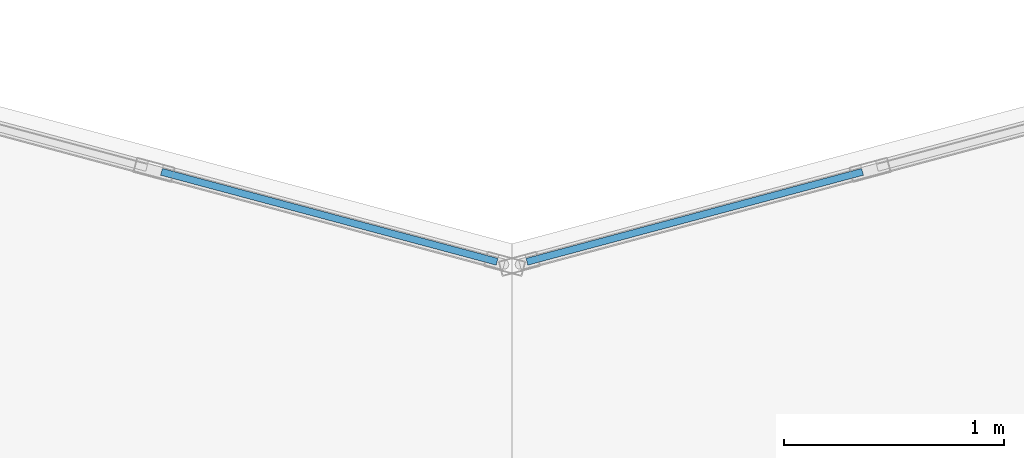
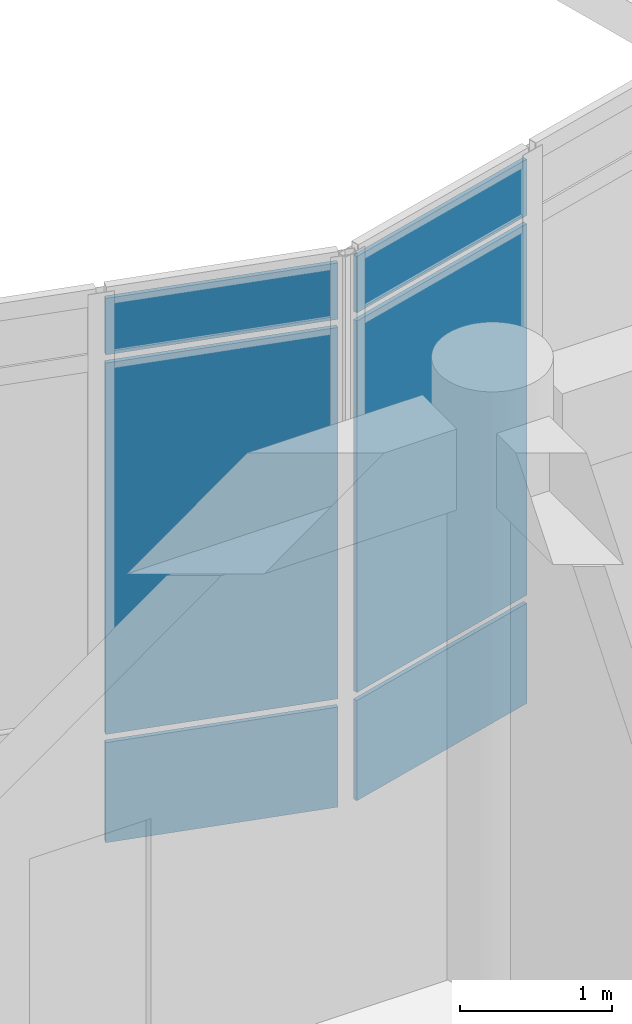
# One storey, part 68 of 138: 6 plates, 2 elements without a shape of their own.
"""IFC4 building model written with IfcOpenShell, lengths in metres."""

from ifc_helpers import new_model, si_unit, direction, frame, origin, origin_2d, place, context, subcontext, project, spatial, rectangle, extrude, material, layer, layer_set, type_object, element, aggregate, save


model = new_model("IFC4")

# Units and contexts
model_context = context("Model", 3, precision=1e-05, world=origin(), true_north=direction((0.0, 1.0)))
body_context = subcontext(model_context, "Body", "Model", "MODEL_VIEW")
ifc_project = project(units=[si_unit("LENGTHUNIT", "METRE"), si_unit("AREAUNIT", "SQUARE_METRE"), si_unit("VOLUMEUNIT", "CUBIC_METRE"), si_unit("PLANEANGLEUNIT", "RADIAN"), si_unit("MASSUNIT", "GRAM", prefix="KILO")], contexts=[model_context])

# Site, building, storey
site_placement = place(None, origin())
site = spatial("IfcSite", under=ifc_project, at=site_placement, CompositionType="ELEMENT")
building_placement = place(site_placement, origin())
building = spatial("IfcBuilding", under=site, at=building_placement, Name="Bramfleet General Hospital", CompositionType="ELEMENT")
storey_placement = place(building_placement, origin())
storey = spatial("IfcBuildingStorey", under=building, at=storey_placement, Name="L00", CompositionType="ELEMENT", Elevation=0.0)

# Curtain wall, plates
ifc_material_1 = material(Name="Anodised aluminium and low-E triple glazing", Category="aluminium")
ifc_layer_1 = layer(ifc_material_1, 0.179931640625, Name="CWT-CW-15")
ifc_layer_set_1 = layer_set([ifc_layer_1], Name="Anodised aluminium and low-E triple glazing")
curtain_wall_type_1 = type_object("IfcCurtainWallType", Name="CWT-CW-15", PredefinedType="USERDEFINED", material=ifc_layer_set_1)
curtain_wall_1_placement = place(storey_placement, origin())
curtain_wall_1 = element("IfcCurtainWall", 1, at=curtain_wall_1_placement, inside=storey, type_object=curtain_wall_type_1, Name="L00 East Laboratory Light Court Curtain Wall 3.1", ObjectType="Stick curtain wall", PredefinedType="USERDEFINED")
ifc_material_2 = material(Name="Low-E laminated safety glass", Category="glass")
ifc_layer_2 = layer(ifc_material_2, 0.031982421875, Name="CWP-GLZ-2")
ifc_layer_set_2 = layer_set([ifc_layer_2], Name="Low-E laminated safety glass")
plate_type = type_object("IfcPlateType", Name="CWP-GLZ-2", PredefinedType="CURTAIN_PANEL", material=ifc_layer_set_2)
plate_1_placement = place(storey_placement, frame((116.7705078125, 60.92236328125, 0.06494140625), z_axis=(0.0, 0.0, 1.0), x_axis=(0.965913556273, -0.258864833085, 0.0)))
plate_1 = element("IfcPlate", 2, at=plate_1_placement, type_object=plate_type, Name="CW-15 panel 2.1", PredefinedType="CURTAIN_PANEL", context=body_context, shape_type="SweptSolid", body=[
    extrude(rectangle(XDim=1.577392578125, YDim=0.031982421875, at=origin_2d()), origin(), (0.0, 0.0, 1.0), 0.802490234375),
])
plate_2_placement = place(storey_placement, frame((116.7705078125, 60.92236328125, 0.932373046875), z_axis=(0.0, 0.0, 1.0), x_axis=(0.965913556273, -0.258864833085, 0.0)))
plate_2 = element("IfcPlate", 3, at=plate_2_placement, type_object=plate_type, Name="CW-15 panel 2.2", PredefinedType="CURTAIN_PANEL", context=body_context, shape_type="SweptSolid", body=[
    extrude(rectangle(XDim=1.577392578125, YDim=0.031982421875, at=origin_2d()), origin(), (0.0, 0.0, 1.0), 2.97509765625),
])
plate_3_placement = place(storey_placement, frame((116.7705078125, 60.92236328125, 3.97265625), z_axis=(0.0, 0.0, 1.0), x_axis=(0.965913556273, -0.258864833085, 0.0)))
plate_3 = element("IfcPlate", 4, at=plate_3_placement, type_object=plate_type, Name="CW-15 panel 2.3", PredefinedType="CURTAIN_PANEL", context=body_context, shape_type="SweptSolid", body=[
    extrude(rectangle(XDim=1.577392578125, YDim=0.031982421875, at=origin_2d()), origin(), (0.0, 0.0, 1.0), 0.452392578125),
])
aggregate(curtain_wall_1, [plate_1, plate_2, plate_3])

ifc_layer_3 = layer(ifc_material_1, 0.179931640625, Name="CWT-CW-16")
ifc_layer_set_3 = layer_set([ifc_layer_3], Name="Anodised aluminium and low-E triple glazing")
curtain_wall_type_2 = type_object("IfcCurtainWallType", Name="CWT-CW-16", PredefinedType="USERDEFINED", material=ifc_layer_set_3)
curtain_wall_2_placement = place(storey_placement, origin())
curtain_wall_2 = element("IfcCurtainWall", 5, at=curtain_wall_2_placement, inside=storey, type_object=curtain_wall_type_2, Name="L00 East Laboratory Light Court Curtain Wall 4.1", ObjectType="Stick curtain wall", PredefinedType="USERDEFINED")
plate_4_placement = place(storey_placement, frame((118.429443359375, 60.92236328125, 0.06494140625), z_axis=(0.0, 0.0, 1.0), x_axis=(0.965913556273, 0.258864833085, 0.0)))
plate_4 = element("IfcPlate", 6, at=plate_4_placement, type_object=plate_type, Name="CW-16 panel 1.1", PredefinedType="CURTAIN_PANEL", context=body_context, shape_type="SweptSolid", body=[
    extrude(rectangle(XDim=1.577392578125, YDim=0.031982421875, at=origin_2d()), origin(), (0.0, 0.0, 1.0), 0.802490234375),
])
plate_5_placement = place(storey_placement, frame((118.429443359375, 60.92236328125, 0.932373046875), z_axis=(0.0, 0.0, 1.0), x_axis=(0.965913556273, 0.258864833085, 0.0)))
plate_5 = element("IfcPlate", 7, at=plate_5_placement, type_object=plate_type, Name="CW-16 panel 1.2", PredefinedType="CURTAIN_PANEL", context=body_context, shape_type="SweptSolid", body=[
    extrude(rectangle(XDim=1.577392578125, YDim=0.031982421875, at=origin_2d()), origin(), (0.0, 0.0, 1.0), 2.97509765625),
])
plate_6_placement = place(storey_placement, frame((118.429443359375, 60.92236328125, 3.97265625), z_axis=(0.0, 0.0, 1.0), x_axis=(0.965913556273, 0.258864833085, 0.0)))
plate_6 = element("IfcPlate", 8, at=plate_6_placement, type_object=plate_type, Name="CW-16 panel 1.3", PredefinedType="CURTAIN_PANEL", context=body_context, shape_type="SweptSolid", body=[
    extrude(rectangle(XDim=1.577392578125, YDim=0.031982421875, at=origin_2d()), origin(), (0.0, 0.0, 1.0), 0.452392578125),
])
aggregate(curtain_wall_2, [plate_4, plate_5, plate_6])

save(model, "model.ifc")
